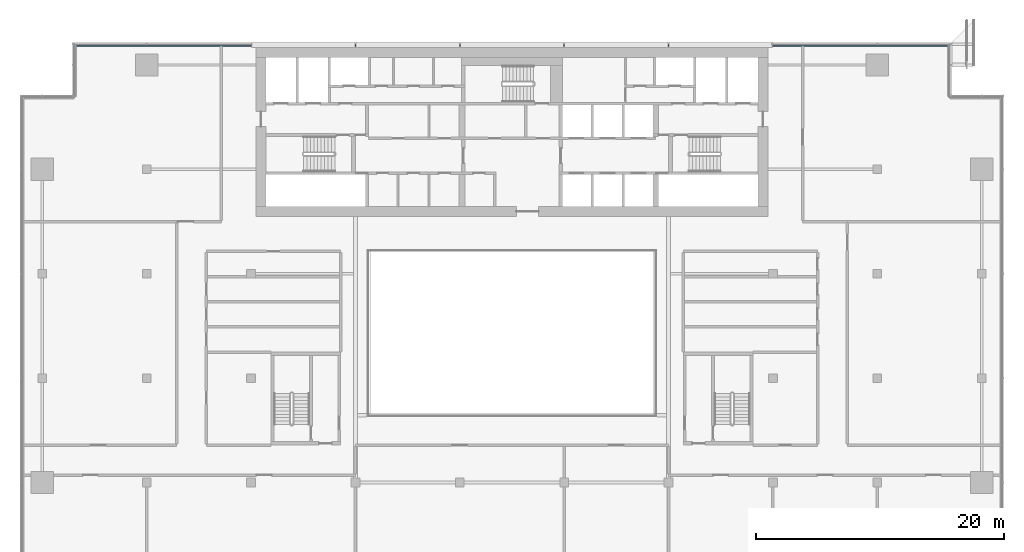
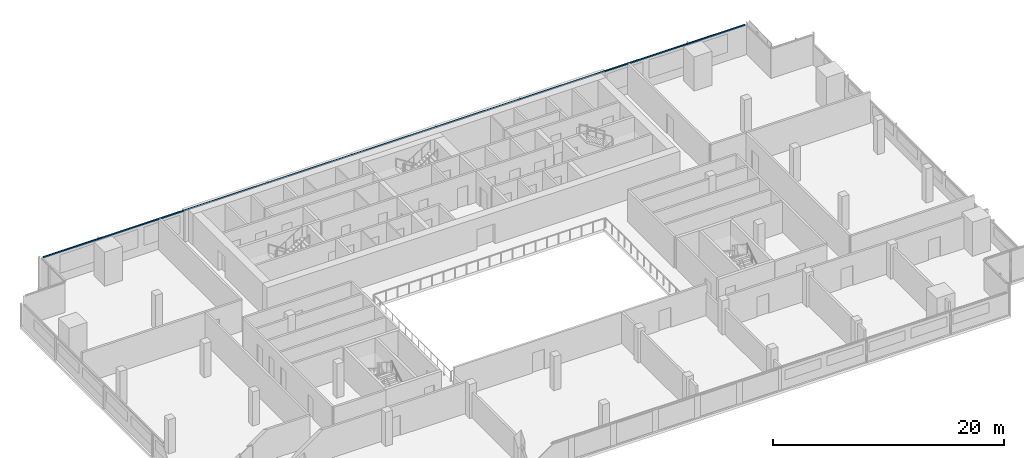
# One storey, part 10 of 24: 1 member, 1 element without a shape of its own.
"""IFC4 building model written with IfcOpenShell, lengths in metres."""

import ifcopenshell
import ifcopenshell.guid

model = None  # the IFC model being written
_history = None  # IfcOwnerHistory: only IFC2X3 demands one
_inside = {}  # id of a spatial element -> (the spatial element, [elements in it])
_under = {}  # id of a project, library or spatial element -> (it, [spatial elements below it])
_declared = {}  # id of a project -> (the project, [libraries it declares])
_typed = {}  # id of a type object -> (the type object, [elements of that type])
_made_of = {}  # id of a material, layer set ... -> (it, [elements and type objects made of it])


def new_model(schema):
    """Start an empty IFC model of exactly this schema.

    Asked for "IFC4X3", IfcOpenShell would pick the latest addendum, in which some entities
    have other attributes; the version numbers below select the first issue.
    IFC2X3 requires an IfcOwnerHistory on every rooted entity: one is made here for all.
    """
    global model, _history
    if schema == "IFC4X3":
        model = ifcopenshell.file(schema_version=(4, 3, 0, 0))
    else:
        model = ifcopenshell.file(schema=schema)
    _inside.clear()
    _under.clear()
    _declared.clear()
    _typed.clear()
    _made_of.clear()
    _history = None
    if model.schema == "IFC2X3":
        org = make("IfcOrganization", Name="unknown")
        user = make(
            "IfcPersonAndOrganization",
            ThePerson=make("IfcPerson", FamilyName="unknown"),
            TheOrganization=org,
        )
        app = make(
            "IfcApplication",
            ApplicationDeveloper=org,
            Version="unknown",
            ApplicationFullName="unknown",
            ApplicationIdentifier="unknown",
        )
        _history = make(
            "IfcOwnerHistory",
            OwningUser=user,
            OwningApplication=app,
            ChangeAction="ADDED",
            CreationDate=0,
        )
    return model


def make(cls, **values):
    """One entity of the class cls with the attributes given. An attribute that is None is left unset."""
    return model.create_entity(
        cls, **{name: value for name, value in values.items() if value is not None}
    )


def rooted(cls, **values):
    """An entity with a GlobalId (a new one), such as an element, a storey or a relation."""
    return make(cls, GlobalId=ifcopenshell.guid.new(), OwnerHistory=_history, **values)


def si_unit(unit_type, name, prefix=None):
    """IfcSIUnit, for example si_unit("LENGTHUNIT", "METRE", prefix="MILLI")."""
    return make("IfcSIUnit", UnitType=unit_type, Prefix=prefix, Name=name)


def assignment(units):
    """IfcUnitAssignment: the units of a project."""
    return None if units is None else make("IfcUnitAssignment", Units=units)


def point(xyz):
    """IfcCartesianPoint."""
    return None if xyz is None else make("IfcCartesianPoint", Coordinates=xyz)


def direction(xyz):
    """IfcDirection."""
    return None if xyz is None else make("IfcDirection", DirectionRatios=xyz)


def frame(location, z_axis=None, x_axis=None):
    """IfcAxis2Placement3D, a coordinate frame: its origin and axes. An axis left out is left unset."""
    return make(
        "IfcAxis2Placement3D",
        Location=point(location),
        Axis=direction(z_axis),
        RefDirection=direction(x_axis),
    )


def frame_2d(location, x_axis=None):
    """IfcAxis2Placement2D, a coordinate frame in the plane: its origin and x axis."""
    return make(
        "IfcAxis2Placement2D", Location=point(location), RefDirection=direction(x_axis)
    )


def origin():
    """The frame at (0, 0, 0) with its axes left unset."""
    return frame((0.0, 0.0, 0.0))


def origin_2d():
    """The frame at (0, 0) in the plane with its x axis left unset."""
    return frame_2d((0.0, 0.0))


def place(relative_to, where):
    """IfcLocalPlacement: puts the frame where relative to a parent placement (None: the world)."""
    return make(
        "IfcLocalPlacement", PlacementRelTo=relative_to, RelativePlacement=where
    )


def context(
    kind, dimensions, precision=None, world=None, true_north=None, identifier=None
):
    """IfcGeometricRepresentationContext, for example the 3D "Model" context."""
    return make(
        "IfcGeometricRepresentationContext",
        ContextIdentifier=identifier,
        ContextType=kind,
        CoordinateSpaceDimension=dimensions,
        Precision=precision,
        WorldCoordinateSystem=world,
        TrueNorth=true_north,
    )


def subcontext(parent, identifier, kind, view, scale=None):
    """IfcGeometricRepresentationSubContext, for example "Body" below "Model"."""
    return make(
        "IfcGeometricRepresentationSubContext",
        ContextIdentifier=identifier,
        ContextType=kind,
        ParentContext=parent,
        TargetScale=scale,
        TargetView=view,
    )


def project(units=None, contexts=None):
    """IfcProject with its units and contexts."""
    return rooted(
        "IfcProject",
        Name="project",
        RepresentationContexts=contexts,
        UnitsInContext=assignment(units),
    )


def spatial(cls, under=None, at=None, **own):
    """A site, building, storey or space (cls), placed at a placement, below another one or the project."""
    s = rooted(cls, ObjectPlacement=at, **own)
    if under is not None:
        _under.setdefault(under.id(), (under, []))[1].append(s)
    return s


def profile(cls, at=None, kind="AREA", **sizes):
    """A parametric profile (cls). Its sizes go by their IFC names, for example OverallWidth=200.0."""
    return make(cls, ProfileType=kind, Position=at, **sizes)


def rectangle(**sizes):
    """IfcRectangleProfileDef."""
    return profile("IfcRectangleProfileDef", **sizes)


def extrude(swept, where, along, depth):
    """IfcExtrudedAreaSolid: the profile swept, set in the frame where, extruded along a direction by depth."""
    return make(
        "IfcExtrudedAreaSolid",
        SweptArea=swept,
        Position=where,
        ExtrudedDirection=direction(along),
        Depth=depth,
    )


def shape(context_of_items, identifier, shape_type, items):
    """IfcShapeRepresentation: the items that make up one representation, for example the "Body"."""
    return make(
        "IfcShapeRepresentation",
        ContextOfItems=context_of_items,
        RepresentationIdentifier=identifier,
        RepresentationType=shape_type,
        Items=items,
    )


def material(Name=None, Category=None):
    """IfcMaterial."""
    return make("IfcMaterial", Name=Name, Category=Category)


def material_profile(
    of_material, cross_section, Name=None, Category=None, Priority=None
):
    """IfcMaterialProfile: a cross section and its material."""
    return make(
        "IfcMaterialProfile",
        Name=Name,
        Material=of_material,
        Profile=cross_section,
        Priority=Priority,
        Category=Category,
    )


def profile_set(profiles, Name=None, composite=None):
    """IfcMaterialProfileSet."""
    return make(
        "IfcMaterialProfileSet",
        Name=Name,
        MaterialProfiles=profiles,
        CompositeProfile=composite,
    )


def made_of(thing, what):
    """Note that an element or type object is made of a material, layer set ...; save() writes the relation."""
    if what is not None:
        _made_of.setdefault(what.id(), (what, []))[1].append(thing)
    return thing


def type_object(cls, material=None, **own):
    """A type object (cls), such as IfcWallType, which elements share."""
    return made_of(rooted(cls, **own), material)


def element(
    cls,
    number,
    at=None,
    inside=None,
    cuts=None,
    type_object=None,
    material=None,
    context=None,
    identifier="Body",
    shape_type=None,
    held_by="IfcProductDefinitionShape",
    body=None,
    shapes=None,
    **own,
):
    """One element of the class cls, such as IfcWall. Its Tag is "e" and its number.

    at: its placement. inside: the storey or other place that contains it. cuts: it is an
    opening in that element (IfcRelVoidsElement). A single representation is given by context,
    identifier, shape_type and body (its items); several are given by shapes. held_by: the class
    of the entity that holds the representations. save() writes the other relations.
    """
    e = rooted(cls, Tag="e%d" % number, ObjectPlacement=at, **own)
    if body is not None:
        shapes = [shape(context, identifier, shape_type, body)]
    if shapes is not None:
        e.Representation = make(held_by, Representations=shapes)
    if inside is not None:
        _inside.setdefault(inside.id(), (inside, []))[1].append(e)
    if cuts is not None:
        rooted(
            "IfcRelVoidsElement", RelatingBuildingElement=cuts, RelatedOpeningElement=e
        )
    if type_object is not None:
        _typed.setdefault(type_object.id(), (type_object, []))[1].append(e)
    return made_of(e, material)


def aggregate(whole, parts):
    """IfcRelAggregates: a whole, such as a stair, and the parts it consists of."""
    return rooted("IfcRelAggregates", RelatingObject=whole, RelatedObjects=parts)


def save(model, path):
    """Write the relations noted so far, then the file.

    IfcRelAggregates (storeys below a building ...), IfcRelContainedInSpatialStructure (elements
    in a storey), IfcRelDefinesByType, IfcRelAssociatesMaterial and IfcRelDeclares: one each for
    every whole, place, type object, material and project.
    """
    for whole, parts in _under.values():
        aggregate(whole, parts)
    for where, things in _inside.values():
        rooted(
            "IfcRelContainedInSpatialStructure",
            RelatedElements=things,
            RelatingStructure=where,
        )
    for kind, things in _typed.values():
        rooted("IfcRelDefinesByType", RelatedObjects=things, RelatingType=kind)
    for what, things in _made_of.values():
        rooted("IfcRelAssociatesMaterial", RelatedObjects=things, RelatingMaterial=what)
    for by, libraries in _declared.values():
        rooted("IfcRelDeclares", RelatingContext=by, RelatedDefinitions=libraries)
    model.write(path)


model = new_model("IFC4")

# Units and contexts
model_context = context("Model", 3, precision=1e-05, world=origin(), true_north=direction((0.0, 1.0)))
body_context = subcontext(model_context, "Body", "Model", "MODEL_VIEW")
ifc_project = project(units=[si_unit("LENGTHUNIT", "METRE"), si_unit("AREAUNIT", "SQUARE_METRE"), si_unit("VOLUMEUNIT", "CUBIC_METRE"), si_unit("PLANEANGLEUNIT", "RADIAN"), si_unit("MASSUNIT", "GRAM", prefix="KILO")], contexts=[model_context])

# Site, building, storey
site_placement = place(None, origin())
site = spatial("IfcSite", under=ifc_project, at=site_placement, CompositionType="ELEMENT")
building_placement = place(site_placement, origin())
building = spatial("IfcBuilding", under=site, at=building_placement, Name="Saffron Gate Tower", CompositionType="ELEMENT")
storey_placement = place(building_placement, frame((0.0, 0.0, 190.64990234375)))
storey = spatial("IfcBuildingStorey", under=building, at=storey_placement, Name="L47", CompositionType="ELEMENT", Elevation=190.64990234375)

# Curtain wall, member
ifc_material = material(Name="Aluminium, bronze anodised", Category="aluminium")
curtain_wall_type = type_object("IfcCurtainWallType", Name="CWS3 curtain wall rear facade", PredefinedType="NOTDEFINED", material=ifc_material)
curtain_wall_placement = place(storey_placement, origin())
curtain_wall = element("IfcCurtainWall", 1, at=curtain_wall_placement, inside=storey, type_object=curtain_wall_type, Name="CWS3 run 7", PredefinedType="NOTDEFINED")
ifc_material_profile = material_profile(ifc_material, rectangle(XDim=0.1201171875, YDim=0.1201171875, at=origin_2d()))
ifc_profile_set = profile_set([ifc_material_profile], Name="Aluminium, bronze anodised")
member_type = type_object("IfcMemberType", Name="CWS3 head transom", PredefinedType="USERDEFINED", material=ifc_profile_set)
member_placement = place(storey_placement, frame((122.632080078125, 75.35205078125, 3.239990234375), z_axis=(-1.0, 0.0, 0.0), x_axis=(0.0, -1.0, 0.0)))
member = element("IfcMember", 2, at=member_placement, type_object=member_type, Name="CWS3 head transom", ObjectType="TRANSOM", PredefinedType="USERDEFINED", context=body_context, shape_type="SweptSolid", body=[
    extrude(rectangle(XDim=0.1201171875, YDim=0.1201171875, at=origin_2d()), origin(), (0.0, 0.0, 1.0), 70.06396484375),
])
aggregate(curtain_wall, [member])

save(model, "model.ifc")
